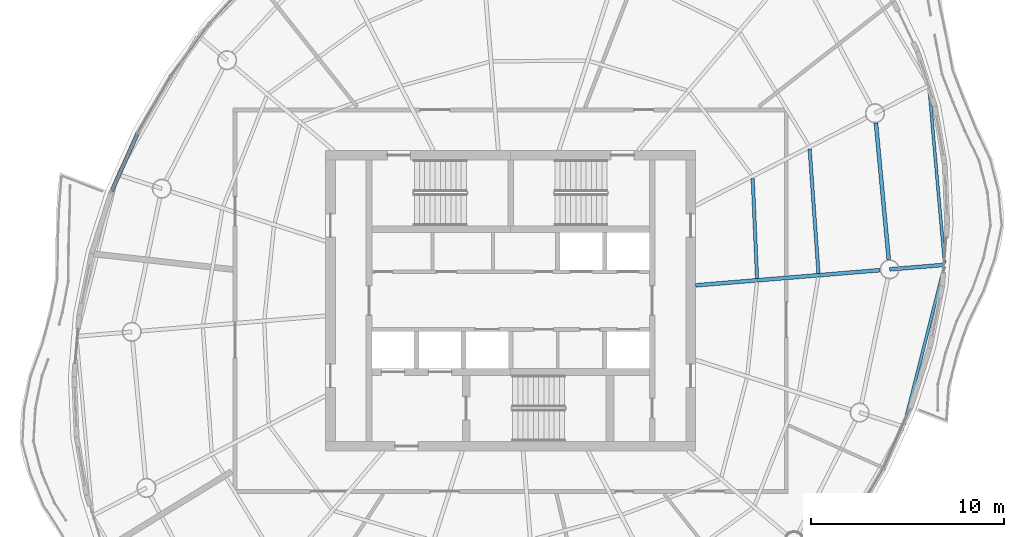
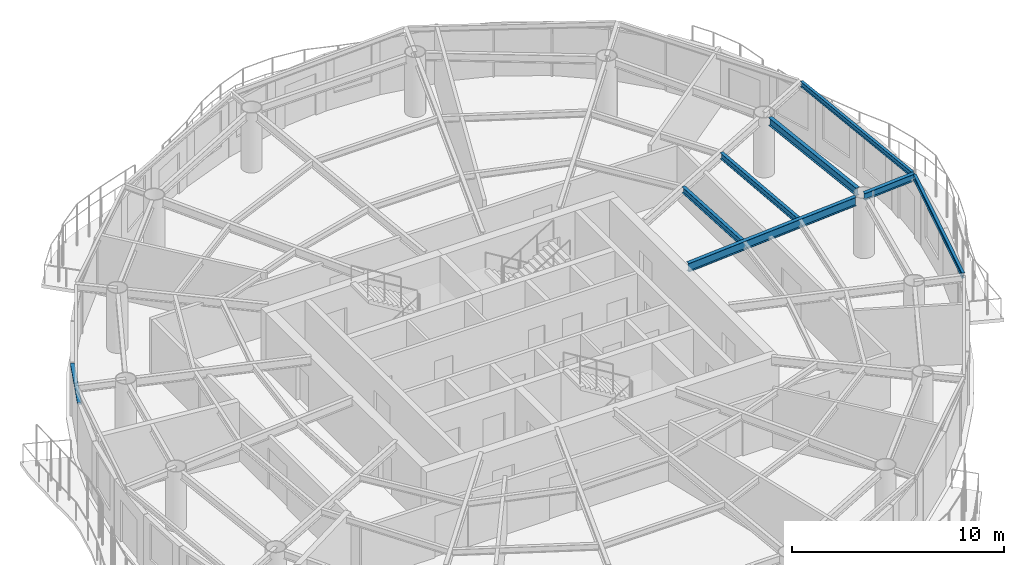
# One storey, part 4 of 15: 7 beams, 1 member, 1 element without a shape of its own.
"""IFC4 building model written with IfcOpenShell, lengths in metres."""

from ifc_helpers import new_model, si_unit, direction, frame, origin, origin_2d, place, context, subcontext, project, spatial, rectangle, i_section, extrude, material, material_profile, profile_set, type_object, element, aggregate, save


model = new_model("IFC4")

# Units and contexts
model_context = context("Model", 3, precision=1e-05, world=origin(), true_north=direction((0.0, 1.0)))
body_context = subcontext(model_context, "Body", "Model", "MODEL_VIEW")
ifc_project = project(units=[si_unit("LENGTHUNIT", "METRE"), si_unit("AREAUNIT", "SQUARE_METRE"), si_unit("VOLUMEUNIT", "CUBIC_METRE"), si_unit("PLANEANGLEUNIT", "RADIAN"), si_unit("MASSUNIT", "GRAM", prefix="KILO")], contexts=[model_context])

# Site, building, storey
site_placement = place(None, origin())
site = spatial("IfcSite", under=ifc_project, at=site_placement, CompositionType="ELEMENT")
building_placement = place(site_placement, origin())
building = spatial("IfcBuilding", under=site, at=building_placement, Name="Vermilion Reach Broadcast Tower", CompositionType="ELEMENT")
storey_placement = place(building_placement, frame((0.0, 0.0, 261.300048828125)))
storey = spatial("IfcBuildingStorey", under=building, at=storey_placement, Name="L64", CompositionType="ELEMENT", Elevation=261.300048828125)

# Beams
ifc_material_1 = material(Name="Steel S355J2", Category="steel")
ifc_material_profile_1 = material_profile(ifc_material_1, i_section(OverallWidth=0.14990234375, OverallDepth=0.300048828125, WebThickness=0.006591796875, FlangeThickness=0.009033203125, at=origin_2d()), Name="S355J2 HN 300x150x6.5x9")
ifc_profile_set_1 = profile_set([ifc_material_profile_1], Name="Steel S355J2")
beam_type_1 = type_object("IfcBeamType", Name="EB5 HN 300x150x6.5x9", PredefinedType="BEAM", material=ifc_profile_set_1)
beam_1_placement = place(storey_placement, frame((14.416748046875, -6.446044921875, 3.300048828125), z_axis=(0.246038080256, 0.969260162734, 0.0), x_axis=(-0.969260162734, 0.246038080256, 0.0)))
element("IfcBeam", 1, at=beam_1_placement, inside=storey, type_object=beam_type_1, Name="Edge beam EB5-13", PredefinedType="BEAM", context=body_context, shape_type="SweptSolid", body=[
    extrude(i_section(OverallWidth=0.14990234375, OverallDepth=0.300048828125, WebThickness=0.006591796875, FlangeThickness=0.009033203125, at=origin_2d()), origin(), (0.0, 0.0, 1.0), 8.459228515625),
])
beam_2_placement = place(storey_placement, frame((16.51513671875, 1.955322265625, 3.300048828125), z_axis=(-0.087996816652, 0.996120755862, 0.0), x_axis=(-0.996120755862, -0.087996816652, 0.0)))
element("IfcBeam", 2, at=beam_2_placement, inside=storey, type_object=beam_type_1, Name="Edge beam EB5-14", PredefinedType="BEAM", context=body_context, shape_type="SweptSolid", body=[
    extrude(i_section(OverallWidth=0.14990234375, OverallDepth=0.300048828125, WebThickness=0.006591796875, FlangeThickness=0.009033203125, at=origin_2d()), origin(), (0.0, 0.0, 1.0), 9.130615234375),
])
ifc_material_2 = material(Name="Steel S355J2", Category="steel")
ifc_material_profile_2 = material_profile(ifc_material_2, i_section(OverallWidth=0.199951171875, OverallDepth=0.5, WebThickness=0.010009765625, FlangeThickness=0.01611328125, at=origin_2d()), Name="S355J2 HN 500x200x10x16")
ifc_profile_set_2 = profile_set([ifc_material_profile_2], Name="Steel S355J2")
beam_type_2 = type_object("IfcBeamType", Name="G5 HN 500x200x10x16", PredefinedType="BEAM", material=ifc_profile_set_2)
beam_3_placement = place(storey_placement, frame((3.60009765625, 0.791015625, 3.199951171875), z_axis=(0.996624410075, 0.082096195058, 0.0), x_axis=(-0.082096195058, 0.996624410075, 0.0)))
element("IfcBeam", 3, at=beam_3_placement, inside=storey, type_object=beam_type_2, Name="Girder G5-14", PredefinedType="BEAM", context=body_context, shape_type="SweptSolid", body=[
    extrude(i_section(OverallWidth=0.199951171875, OverallDepth=0.5, WebThickness=0.010009765625, FlangeThickness=0.01611328125, at=origin_2d()), origin(), (0.0, 0.0, 1.0), 9.599609375),
])
ifc_material_3 = material(Name="Steel S355J2", Category="steel")
ifc_material_profile_3 = material_profile(ifc_material_3, i_section(OverallWidth=0.199951171875, OverallDepth=0.39990234375, WebThickness=0.008056640625, FlangeThickness=0.012939453125, at=origin_2d()), Name="S355J2 HN 400x200x8x13")
ifc_profile_set_3 = profile_set([ifc_material_profile_3], Name="Steel S355J2")
beam_type_3 = type_object("IfcBeamType", Name="GC5 HN 400x200x8x13", PredefinedType="BEAM", material=ifc_profile_set_3)
beam_4_placement = place(storey_placement, frame((13.665771484375, 1.620361328125, 3.25), z_axis=(0.996626885266, 0.082066141402, 0.0), x_axis=(-0.082066141402, 0.996626885266, 0.0)))
element("IfcBeam", 4, at=beam_4_placement, inside=storey, type_object=beam_type_3, Name="Cantilever girder GC5-14", PredefinedType="BEAM", context=body_context, shape_type="SweptSolid", body=[
    extrude(i_section(OverallWidth=0.199951171875, OverallDepth=0.39990234375, WebThickness=0.008056640625, FlangeThickness=0.012939453125, at=origin_2d()), origin(), (0.0, 0.0, 1.0), 2.867919921875),
])
ifc_material_4 = material(Name="Steel S355J2", Category="steel")
ifc_material_profile_4 = material_profile(ifc_material_4, i_section(OverallWidth=0.199951171875, OverallDepth=0.449951171875, WebThickness=0.009033203125, FlangeThickness=0.013916015625, at=origin_2d()), Name="S355J2 HN 450x200x9x14")
ifc_profile_set_4 = profile_set([ifc_material_profile_4], Name="Steel S355J2")
beam_type_4 = type_object("IfcBeamType", Name="RB5 HN 450x200x9x14", PredefinedType="BEAM", material=ifc_profile_set_4)
beam_5_placement = place(storey_placement, frame((13.618896484375, 2.1181640625, 3.224853515625), z_axis=(-0.093441399272, 0.995624781181, 0.0), x_axis=(-0.995624781181, -0.093441399272, 0.0)))
element("IfcBeam", 5, at=beam_5_placement, inside=storey, type_object=beam_type_4, Name="Ring beam RB5-14", PredefinedType="BEAM", context=body_context, shape_type="SweptSolid", body=[
    extrude(i_section(OverallWidth=0.199951171875, OverallDepth=0.449951171875, WebThickness=0.009033203125, FlangeThickness=0.013916015625, at=origin_2d()), origin(), (0.0, 0.0, 1.0), 7.135498046875),
])
ifc_material_5 = material(Name="Steel S355J2", Category="steel")
ifc_material_profile_5 = material_profile(ifc_material_5, i_section(OverallWidth=0.175048828125, OverallDepth=0.35009765625, WebThickness=0.007080078125, FlangeThickness=0.010986328125, at=origin_2d()), Name="S355J2 HN 350x175x7x11")
ifc_profile_set_5 = profile_set([ifc_material_profile_5], Name="Steel S355J2")
beam_type_5 = type_object("IfcBeamType", Name="SB5 HN 350x175x7x11", PredefinedType="BEAM", material=ifc_profile_set_5)
beam_6_placement = place(storey_placement, frame((6.78466796875, 1.153564453125, 3.27490234375), z_axis=(-0.043557530017, 0.999050920413, 0.0), x_axis=(-0.999050920413, -0.043557530017, 0.0)))
element("IfcBeam", 6, at=beam_6_placement, inside=storey, type_object=beam_type_5, Name="Secondary beam SB5-14-1", PredefinedType="BEAM", context=body_context, shape_type="SweptSolid", body=[
    extrude(i_section(OverallWidth=0.175048828125, OverallDepth=0.35009765625, WebThickness=0.007080078125, FlangeThickness=0.010986328125, at=origin_2d()), origin(), (0.0, 0.0, 1.0), 5.19580078125),
])
beam_7_placement = place(storey_placement, frame((9.97119140625, 1.416259765625, 3.27490234375), z_axis=(-0.070586780458, 0.997505642302, 0.0), x_axis=(-0.997505642302, -0.070586780458, 0.0)))
element("IfcBeam", 7, at=beam_7_placement, inside=storey, type_object=beam_type_5, Name="Secondary beam SB5-14-2", PredefinedType="BEAM", context=body_context, shape_type="SweptSolid", body=[
    extrude(i_section(OverallWidth=0.175048828125, OverallDepth=0.35009765625, WebThickness=0.007080078125, FlangeThickness=0.010986328125, at=origin_2d()), origin(), (0.0, 0.0, 1.0), 6.46435546875),
])

# Curtain wall, member
ifc_material_6 = material(Name="Low-e laminated clear glass in aluminium frame", Category="aluminium")
curtain_wall_type = type_object("IfcCurtainWallType", Name="Slot curtain wall", PredefinedType="NOTDEFINED", material=ifc_material_6)
curtain_wall_placement = place(storey_placement, origin())
curtain_wall = element("IfcCurtainWall", 8, at=curtain_wall_placement, inside=storey, type_object=curtain_wall_type, Name="Slot curtain wall L64 13", PredefinedType="NOTDEFINED")
ifc_material_7 = material(Name="Anodised aluminium", Category="aluminium")
ifc_material_profile_6 = material_profile(ifc_material_7, rectangle(XDim=0.199951171875, YDim=0.10009765625, at=origin_2d()), Name="Slot transom 200 x 100")
ifc_profile_set_6 = profile_set([ifc_material_profile_6], Name="Anodised aluminium")
member_type = type_object("IfcMemberType", Name="Slot transom 200 x 100", PredefinedType="USERDEFINED", material=ifc_profile_set_6)
member_placement = place(storey_placement, frame((-25.3701171875, 8.65771484375, 3.0), z_axis=(-0.408349771099, -0.912825538887, 0.0), x_axis=(0.912825538887, -0.408349771099, 0.0)))
member = element("IfcMember", 9, at=member_placement, type_object=member_type, Name="Slot transom L64 13.1", ObjectType="TRANSOM", PredefinedType="USERDEFINED", context=body_context, shape_type="SweptSolid", body=[
    extrude(rectangle(XDim=0.199951171875, YDim=0.10009765625, at=origin_2d()), origin(), (0.0, 0.0, 1.0), 3.286376953125),
])
aggregate(curtain_wall, [member])

save(model, "model.ifc")
